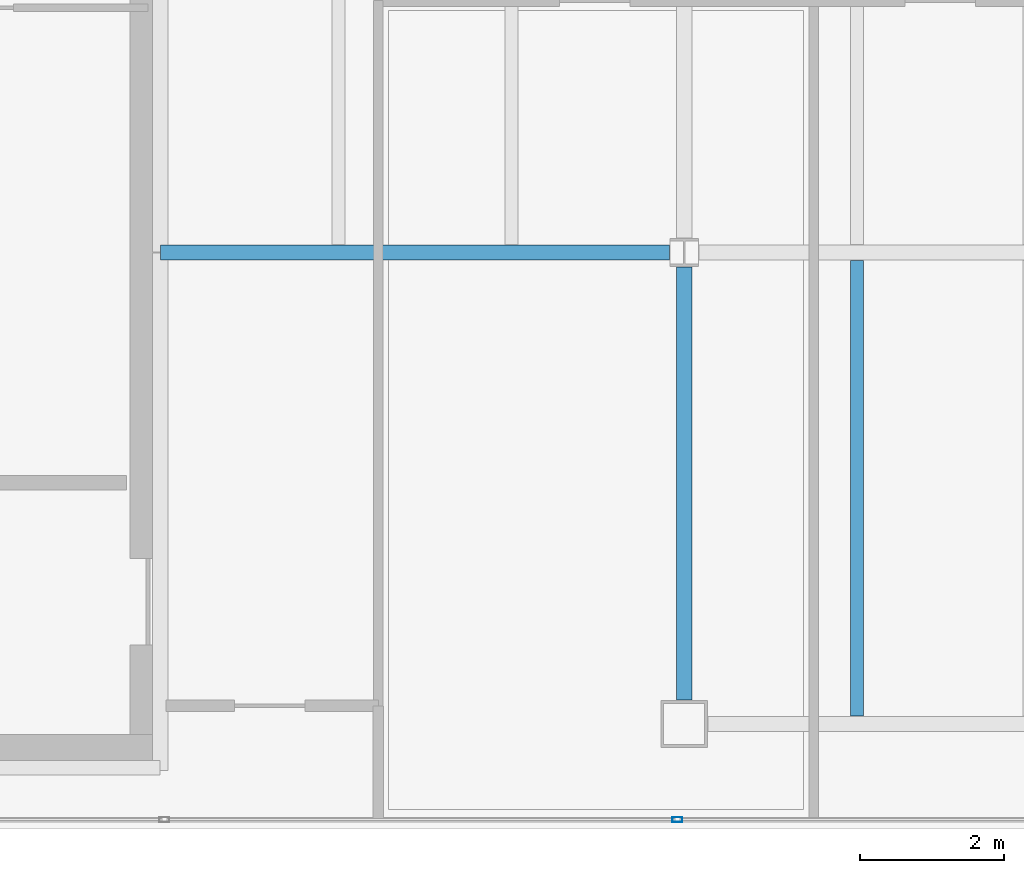
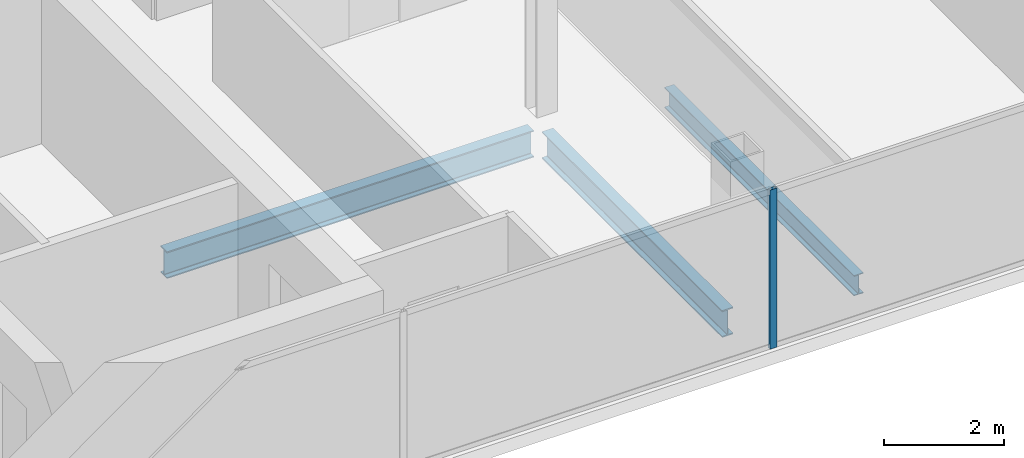
# One storey, part 5 of 23: 3 beams, 1 member, 1 element without a shape of its own.
"""IFC4 building model written with IfcOpenShell, lengths in metres."""

from ifc_helpers import new_model, si_unit, direction, frame, origin, origin_2d, place, context, subcontext, project, spatial, hollow_rectangle, i_section, extrude, material, material_profile, profile_set, type_object, element, aggregate, save


model = new_model("IFC4")

# Units and contexts
model_context = context("Model", 3, precision=1e-05, world=origin(), true_north=direction((0.0, 1.0)))
body_context = subcontext(model_context, "Body", "Model", "MODEL_VIEW")
ifc_project = project(units=[si_unit("LENGTHUNIT", "METRE"), si_unit("AREAUNIT", "SQUARE_METRE"), si_unit("VOLUMEUNIT", "CUBIC_METRE"), si_unit("PLANEANGLEUNIT", "RADIAN"), si_unit("MASSUNIT", "GRAM", prefix="KILO")], contexts=[model_context])

# Site, building, storey
site_placement = place(None, origin())
site = spatial("IfcSite", under=ifc_project, at=site_placement, CompositionType="ELEMENT")
building_placement = place(site_placement, origin())
building = spatial("IfcBuilding", under=site, at=building_placement, Name="Cobrela Telecom Tower", CompositionType="ELEMENT")
storey_placement = place(building_placement, frame((0.0, 0.0, 262.14990234375)))
storey = spatial("IfcBuildingStorey", under=building, at=storey_placement, Name="L68", CompositionType="ELEMENT", Elevation=262.14990234375)

# Beams
ifc_material_1 = material(Name="Steel ASTM A992 Grade 50", Category="steel")
ifc_material_profile_1 = material_profile(ifc_material_1, i_section(OverallWidth=0.212890625, OverallDepth=0.549072265625, WebThickness=0.0146484375, FlangeThickness=0.023681640625, FilletRadius=0.013916015625, at=origin_2d()), Name="W21X93")
ifc_profile_set_1 = profile_set([ifc_material_profile_1], Name="Steel ASTM A992 Grade 50")
beam_type_1 = type_object("IfcBeamType", Name="BM-GIRD-08", PredefinedType="USERDEFINED", material=ifc_profile_set_1)
beam_1_placement = place(storey_placement, frame((14.324951171875, 14.39990234375, -0.534423828125), z_axis=(1.0, 0.0, 0.0), x_axis=(0.0, 1.0, 0.0)))
element("IfcBeam", 1, at=beam_1_placement, inside=storey, type_object=beam_type_1, Name="L68 Primary Girder X05", ObjectType="GIRDER", PredefinedType="USERDEFINED", context=body_context, shape_type="SweptSolid", body=[
    extrude(i_section(OverallWidth=0.212890625, OverallDepth=0.549072265625, WebThickness=0.0146484375, FlangeThickness=0.023681640625, FilletRadius=0.013916015625, at=origin_2d()), origin(), (0.0, 0.0, 1.0), 7.070556640625),
])
beam_2_placement = place(storey_placement, frame((21.60009765625, 8.179931640625, -0.534423828125), z_axis=(0.0, 1.0, 0.0), x_axis=(-1.0, 0.0, 0.0)))
element("IfcBeam", 2, at=beam_2_placement, inside=storey, type_object=beam_type_1, Name="L68 Primary Girder Y27", ObjectType="GIRDER", PredefinedType="USERDEFINED", context=body_context, shape_type="SweptSolid", body=[
    extrude(i_section(OverallWidth=0.212890625, OverallDepth=0.549072265625, WebThickness=0.0146484375, FlangeThickness=0.023681640625, FilletRadius=0.013916015625, at=origin_2d()), origin(), (0.0, 0.0, 1.0), 6.015625),
])
ifc_material_profile_2 = material_profile(ifc_material_1, i_section(OverallWidth=0.179931640625, OverallDepth=0.4169921875, WebThickness=0.010986328125, FlangeThickness=0.01806640625, FilletRadius=0.011962890625, at=origin_2d()), Name="W16X57")
ifc_profile_set_2 = profile_set([ifc_material_profile_2], Name="Steel ASTM A992 Grade 50")
beam_type_2 = type_object("IfcBeamType", Name="BM-JOIST-04", PredefinedType="JOIST", material=ifc_profile_set_2)
beam_3_placement = place(storey_placement, frame((24.0, 7.96142578125, -0.468505859375), z_axis=(0.0, 1.0, 0.0), x_axis=(-1.0, 0.0, 0.0)))
element("IfcBeam", 3, at=beam_3_placement, inside=storey, type_object=beam_type_2, Name="L68 Secondary Composite Floor Beam J07", PredefinedType="JOIST", context=body_context, shape_type="SweptSolid", body=[
    extrude(i_section(OverallWidth=0.179931640625, OverallDepth=0.4169921875, WebThickness=0.010986328125, FlangeThickness=0.01806640625, FilletRadius=0.011962890625, at=origin_2d()), origin(), (0.0, 0.0, 1.0), 6.3271484375),
])

# Curtain wall, member
ifc_material_2 = material(Name="Anodized Bronze Aluminium 6063-T6", Category="aluminium")
curtain_wall_type = type_object("IfcCurtainWallType", Name="CW-SYS-OFF-HI", PredefinedType="USERDEFINED", material=ifc_material_2)
curtain_wall_placement = place(storey_placement, origin())
curtain_wall = element("IfcCurtainWall", 4, at=curtain_wall_placement, inside=storey, type_object=curtain_wall_type, Name="L68 Unitised Bronze Curtain Wall 15", ObjectType="UNITISED CURTAIN WALL", PredefinedType="USERDEFINED")
ifc_material_profile_3 = material_profile(ifc_material_2, hollow_rectangle(XDim=0.070068359375, YDim=0.139892578125, WallThickness=0.00390625, at=origin_2d()), Name="ALU 70x140x4")
ifc_profile_set_3 = profile_set([ifc_material_profile_3], Name="Anodized Bronze Aluminium 6063-T6")
member_type = type_object("IfcMemberType", Name="CW-SYS-OFF-HI-MUL", PredefinedType="MULLION", material=ifc_profile_set_3)
member_placement = place(storey_placement, frame((21.5048828125, 6.52001953125, 0.0), z_axis=(0.0, 0.0, 1.0), x_axis=(0.0, -1.0, 0.0)))
member = element("IfcMember", 5, at=member_placement, type_object=member_type, Name="CW-OFF-HI mullion 4", PredefinedType="MULLION", context=body_context, shape_type="SweptSolid", body=[
    extrude(hollow_rectangle(XDim=0.070068359375, YDim=0.139892578125, WallThickness=0.00390625, at=origin_2d()), origin(), (0.0, 0.0, 1.0), 3.239990234375),
])
aggregate(curtain_wall, [member])

save(model, "model.ifc")
